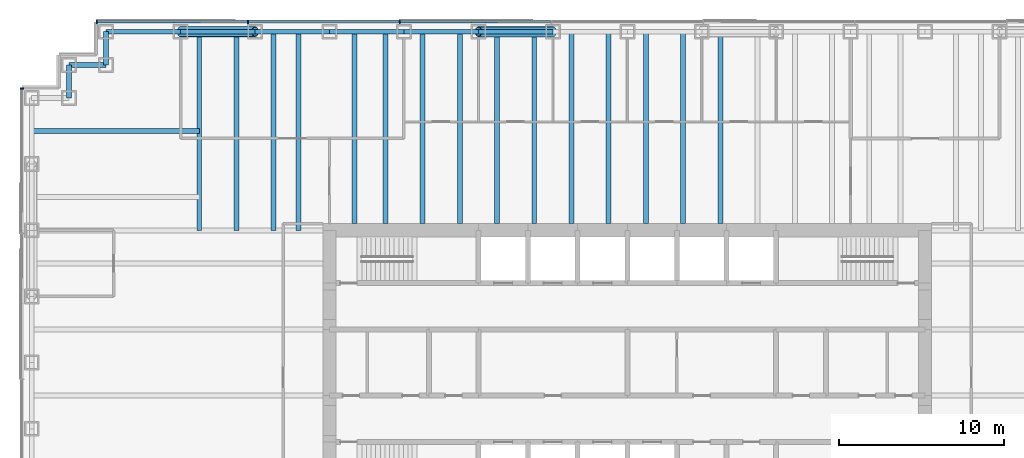
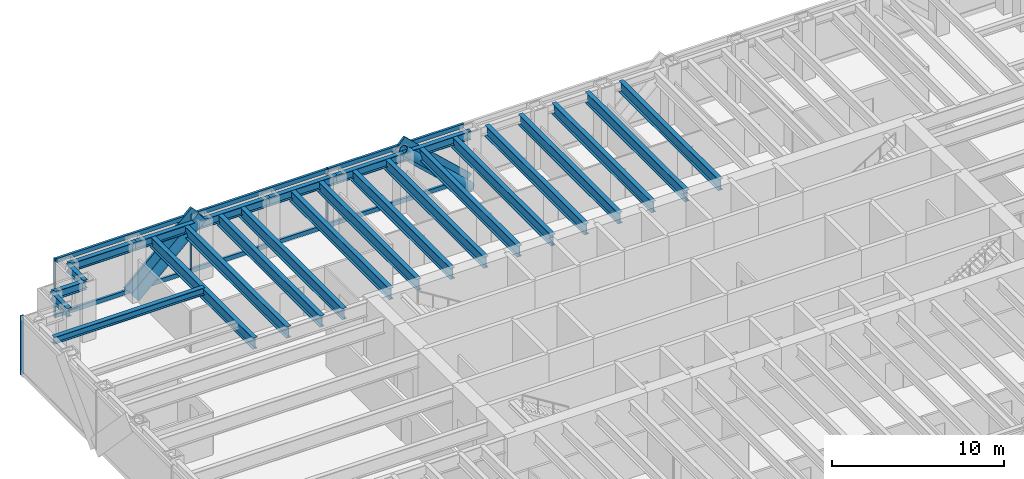
# One storey, part 6 of 17: 25 beams, 14 members, 2 elements without a shape of their own.
"""IFC4 building model written with IfcOpenShell, lengths in metres."""

from ifc_helpers import new_model, si_unit, direction, frame, origin, origin_2d, place, context, subcontext, project, spatial, rectangle, hollow_circle, i_section, extrude, material, material_profile, profile_set, type_object, element, aggregate, save


model = new_model("IFC4")

# Units and contexts
model_context = context("Model", 3, precision=1e-05, world=origin(), true_north=direction((0.0, 1.0)))
body_context = subcontext(model_context, "Body", "Model", "MODEL_VIEW")
ifc_project = project(units=[si_unit("LENGTHUNIT", "METRE"), si_unit("AREAUNIT", "SQUARE_METRE"), si_unit("VOLUMEUNIT", "CUBIC_METRE"), si_unit("PLANEANGLEUNIT", "RADIAN"), si_unit("MASSUNIT", "GRAM", prefix="KILO")], contexts=[model_context])

# Site, building, storey
site_placement = place(None, origin())
site = spatial("IfcSite", under=ifc_project, at=site_placement, CompositionType="ELEMENT")
building_placement = place(site_placement, origin())
building = spatial("IfcBuilding", under=site, at=building_placement, Name="Rheinbord Bourse Tower", CompositionType="ELEMENT")
storey_placement = place(building_placement, frame((0.0, 0.0, 190.0)))
storey = spatial("IfcBuildingStorey", under=building, at=storey_placement, Name="L42", CompositionType="ELEMENT", Elevation=190.0)

# Curtain wall, members
ifc_material_1 = material(Name="Dark glass and black aluminium", Category="aluminium")
curtain_wall_type = type_object("IfcCurtainWallType", Name="CW2 DARK GLASS CURTAIN WALL", PredefinedType="USERDEFINED", material=ifc_material_1)
curtain_wall_1_placement = place(storey_placement, origin())
curtain_wall_1 = element("IfcCurtainWall", 1, at=curtain_wall_1_placement, inside=storey, type_object=curtain_wall_type, Name="Curtain wall CW2 N L42", ObjectType="UNITISED CURTAIN WALL", PredefinedType="USERDEFINED")
ifc_material_2 = material(Name="Black anodised aluminium", Category="aluminium")
ifc_material_profile_1 = material_profile(ifc_material_2, rectangle(XDim=0.159912109375, YDim=1.2099609375, at=origin_2d()), Name="CW2 DIAGONAL MULLION 1210x160")
ifc_profile_set_1 = profile_set([ifc_material_profile_1], Name="Black anodised aluminium")
member_type_1 = type_object("IfcMemberType", Name="CW2 BLACK DIAGONAL MULLION", PredefinedType="USERDEFINED", material=ifc_profile_set_1)
member_1_placement = place(storey_placement, frame((9.0, 44.60009765625, 0.0), z_axis=(0.73105922506, 0.0, 0.682314010889), x_axis=(0.0, 1.0, 0.0)))
member_1 = element("IfcMember", 2, at=member_1_placement, type_object=member_type_1, Name="CW2 diagonal mullion b", ObjectType="DIAGONAL MULLION", PredefinedType="USERDEFINED", context=body_context, shape_type="SweptSolid", body=[
    extrude(rectangle(XDim=0.159912109375, YDim=1.2099609375, at=origin_2d()), origin(), (0.0, 0.0, 1.0), 6.155517578125),
])
member_2_placement = place(storey_placement, frame((31.5, 44.60009765625, 0.0), z_axis=(-0.73105922506, 0.0, 0.682314010889), x_axis=(0.0, -1.0, 0.0)))
member_2 = element("IfcMember", 3, at=member_2_placement, type_object=member_type_1, Name="CW2 diagonal mullion c", ObjectType="DIAGONAL MULLION", PredefinedType="USERDEFINED", context=body_context, shape_type="SweptSolid", body=[
    extrude(rectangle(XDim=0.159912109375, YDim=1.2099609375, at=origin_2d()), origin(), (0.0, 0.0, 1.0), 6.155517578125),
])
ifc_material_3 = material(Name="Black anodised aluminium", Category="aluminium")
ifc_material_profile_2 = material_profile(ifc_material_3, rectangle(XDim=0.219970703125, YDim=0.070068359375, at=origin_2d()), Name="CW2 MULLION 70x220")
ifc_profile_set_2 = profile_set([ifc_material_profile_2], Name="Black anodised aluminium")
member_type_2 = type_object("IfcMemberType", Name="CW2 BLACK MULLION", PredefinedType="MULLION", material=ifc_profile_set_2)
member_3_placement = place(storey_placement, frame((22.242919921875, 44.60009765625, 0.0), z_axis=(0.0, 0.0, 1.0), x_axis=(0.0, -1.0, 0.0)))
member_3 = element("IfcMember", 4, at=member_3_placement, type_object=member_type_2, Name="CW2 mullion 6", PredefinedType="MULLION", context=body_context, shape_type="SweptSolid", body=[
    extrude(rectangle(XDim=0.219970703125, YDim=0.070068359375, at=origin_2d()), origin(), (0.0, 0.0, 1.0), 4.199951171875),
])
member_4_placement = place(storey_placement, frame((13.071533203125, 44.60009765625, 0.0), z_axis=(0.0, 0.0, 1.0), x_axis=(0.0, -1.0, 0.0)))
member_4 = element("IfcMember", 5, at=member_4_placement, type_object=member_type_2, Name="CW2 mullion 7", PredefinedType="MULLION", context=body_context, shape_type="SweptSolid", body=[
    extrude(rectangle(XDim=0.219970703125, YDim=0.070068359375, at=origin_2d()), origin(), (0.0, 0.0, 1.0), 4.199951171875),
])
member_5_placement = place(storey_placement, frame((3.93505859375, 44.60009765625, 0.0), z_axis=(0.0, 0.0, 1.0), x_axis=(0.0, -1.0, 0.0)))
member_5 = element("IfcMember", 6, at=member_5_placement, type_object=member_type_2, Name="CW2 mullion 8", PredefinedType="MULLION", context=body_context, shape_type="SweptSolid", body=[
    extrude(rectangle(XDim=0.219970703125, YDim=0.070068359375, at=origin_2d()), origin(), (0.0, 0.0, 1.0), 4.199951171875),
])

# Curtain wall, member
curtain_wall_2_placement = place(storey_placement, origin())
curtain_wall_2 = element("IfcCurtainWall", 7, at=curtain_wall_2_placement, inside=storey, type_object=curtain_wall_type, Name="Curtain wall CW2 W L42", ObjectType="UNITISED CURTAIN WALL", PredefinedType="USERDEFINED")
member_6_placement = place(storey_placement, frame((-0.60009765625, 40.56494140625, 0.0), z_axis=(0.0, 0.0, 1.0), x_axis=(1.0, 0.0, 0.0)))
member_6 = element("IfcMember", 8, at=member_6_placement, type_object=member_type_2, Name="CW2 mullion 1", PredefinedType="MULLION", context=body_context, shape_type="SweptSolid", body=[
    extrude(rectangle(XDim=0.219970703125, YDim=0.070068359375, at=origin_2d()), origin(), (0.0, 0.0, 1.0), 4.199951171875),
])
aggregate(curtain_wall_2, [member_6])

# Member
ifc_material_4 = material(Name="Black anodised aluminium", Category="aluminium")
ifc_material_profile_3 = material_profile(ifc_material_4, rectangle(XDim=0.159912109375, YDim=0.300048828125, at=origin_2d()), Name="CW2 TRANSOM 300x160")
ifc_profile_set_3 = profile_set([ifc_material_profile_3], Name="Black anodised aluminium")
member_type_3 = type_object("IfcMemberType", Name="CW2 BLACK TRANSOM", PredefinedType="USERDEFINED", material=ifc_profile_set_3)
member_7_placement = place(storey_placement, frame((31.37939453125, 44.60009765625, 0.14990234375), z_axis=(-1.0, 0.0, 0.0), x_axis=(0.0, -1.0, 0.0)))
member_7 = element("IfcMember", 9, at=member_7_placement, type_object=member_type_3, Name="CW2 transom 5.1", ObjectType="TRANSOM", PredefinedType="USERDEFINED", context=body_context, shape_type="SweptSolid", body=[
    extrude(rectangle(XDim=0.159912109375, YDim=0.300048828125, at=origin_2d()), origin(), (0.0, 0.0, 1.0), 9.1015625),
])

member_8_placement = place(storey_placement, frame((31.37939453125, 44.60009765625, 4.050048828125), z_axis=(-1.0, 0.0, 0.0), x_axis=(0.0, -1.0, 0.0)))
member_8 = element("IfcMember", 10, at=member_8_placement, type_object=member_type_3, Name="CW2 transom 5.2", ObjectType="TRANSOM", PredefinedType="USERDEFINED", context=body_context, shape_type="SweptSolid", body=[
    extrude(rectangle(XDim=0.159912109375, YDim=0.300048828125, at=origin_2d()), origin(), (0.0, 0.0, 1.0), 9.1015625),
])

member_9_placement = place(storey_placement, frame((22.207763671875, 44.60009765625, 0.14990234375), z_axis=(-1.0, 0.0, 0.0), x_axis=(0.0, -1.0, 0.0)))
member_9 = element("IfcMember", 11, at=member_9_placement, type_object=member_type_3, Name="CW2 transom 6.1", ObjectType="TRANSOM", PredefinedType="USERDEFINED", context=body_context, shape_type="SweptSolid", body=[
    extrude(rectangle(XDim=0.159912109375, YDim=0.300048828125, at=origin_2d()), origin(), (0.0, 0.0, 1.0), 9.101318359375),
])

member_10_placement = place(storey_placement, frame((22.207763671875, 44.60009765625, 4.050048828125), z_axis=(-1.0, 0.0, 0.0), x_axis=(0.0, -1.0, 0.0)))
member_10 = element("IfcMember", 12, at=member_10_placement, type_object=member_type_3, Name="CW2 transom 6.2", ObjectType="TRANSOM", PredefinedType="USERDEFINED", context=body_context, shape_type="SweptSolid", body=[
    extrude(rectangle(XDim=0.159912109375, YDim=0.300048828125, at=origin_2d()), origin(), (0.0, 0.0, 1.0), 9.101318359375),
])

member_11_placement = place(storey_placement, frame((13.036376953125, 44.60009765625, 0.14990234375), z_axis=(-1.0, 0.0, 0.0), x_axis=(0.0, -1.0, 0.0)))
member_11 = element("IfcMember", 13, at=member_11_placement, type_object=member_type_3, Name="CW2 transom 7.1", ObjectType="TRANSOM", PredefinedType="USERDEFINED", context=body_context, shape_type="SweptSolid", body=[
    extrude(rectangle(XDim=0.159912109375, YDim=0.300048828125, at=origin_2d()), origin(), (0.0, 0.0, 1.0), 9.06640625),
])

member_12_placement = place(storey_placement, frame((13.036376953125, 44.60009765625, 4.050048828125), z_axis=(-1.0, 0.0, 0.0), x_axis=(0.0, -1.0, 0.0)))
member_12 = element("IfcMember", 14, at=member_12_placement, type_object=member_type_3, Name="CW2 transom 7.2", ObjectType="TRANSOM", PredefinedType="USERDEFINED", context=body_context, shape_type="SweptSolid", body=[
    extrude(rectangle(XDim=0.159912109375, YDim=0.300048828125, at=origin_2d()), origin(), (0.0, 0.0, 1.0), 9.06640625),
])

aggregate(curtain_wall_1, [member_3, member_4, member_5, member_7, member_8, member_9, member_10, member_11, member_12, member_1, member_2])

# Beams
ifc_material_5 = material(Name="Steel S460", Category="steel")
ifc_material_profile_4 = material_profile(ifc_material_5, i_section(OverallWidth=0.300048828125, OverallDepth=0.800048828125, WebThickness=0.017578125, FlangeThickness=0.032958984375, at=origin_2d()), Name="HEB 800")
ifc_profile_set_4 = profile_set([ifc_material_profile_4], Name="Steel S460")
beam_type_1 = type_object("IfcBeamType", Name="FLOOR BEAM HEB 800", PredefinedType="BEAM", material=ifc_profile_set_4)
for number, where, z_axis, x_axis, name in (
    (15, (10.125, 44.0, 3.639892578125), (0.0, -1.0, 0.0), (1.0, 0.0, 0.0), "Floor beam N-9a L43"),
    (16, (12.375, 44.0, 3.639892578125), (0.0, -1.0, 0.0), (1.0, 0.0, 0.0), "Floor beam N-9b L43"),
    (17, (14.625, 44.0, 3.639892578125), (0.0, -1.0, 0.0), (1.0, 0.0, 0.0), "Floor beam N-13.5a L43"),
    (18, (16.125, 44.0, 3.639892578125), (0.0, -1.0, 0.0), (1.0, 0.0, 0.0), "Floor beam N-13.5b L43"),
):
    element("IfcBeam", number, at=place(storey_placement, frame(where, z_axis=z_axis, x_axis=x_axis)), inside=storey, type_object=beam_type_1, Name=name, PredefinedType="BEAM", context=body_context, shape_type="SweptSolid", body=[
        extrude(i_section(OverallWidth=0.300048828125, OverallDepth=0.800048828125, WebThickness=0.017578125, FlangeThickness=0.032958984375, at=origin_2d()), origin(), (0.0, 0.0, 1.0), 12.0),
    ])
for number, where, z_axis, x_axis, name in (
    (19, (19.5, 44.0, 3.639892578125), (0.0, -1.0, 0.0), (1.0, 0.0, 0.0), "Floor beam N-18a L43"),
    (20, (21.375, 44.0, 3.639892578125), (0.0, -1.0, 0.0), (1.0, 0.0, 0.0), "Floor beam N-18b L43"),
    (21, (23.625, 44.0, 3.639892578125), (0.0, -1.0, 0.0), (1.0, 0.0, 0.0), "Floor beam N-22.5a L43"),
    (22, (25.875, 44.0, 3.639892578125), (0.0, -1.0, 0.0), (1.0, 0.0, 0.0), "Floor beam N-22.5b L43"),
    (23, (28.125, 44.0, 3.639892578125), (0.0, -1.0, 0.0), (1.0, 0.0, 0.0), "Floor beam N-27a L43"),
    (24, (30.375, 44.0, 3.639892578125), (0.0, -1.0, 0.0), (1.0, 0.0, 0.0), "Floor beam N-27b L43"),
    (25, (32.625, 44.0, 3.639892578125), (0.0, -1.0, 0.0), (1.0, 0.0, 0.0), "Floor beam N-31.5a L43"),
    (26, (34.875, 44.0, 3.639892578125), (0.0, -1.0, 0.0), (1.0, 0.0, 0.0), "Floor beam N-31.5b L43"),
    (27, (37.125, 44.0, 3.639892578125), (0.0, -1.0, 0.0), (1.0, 0.0, 0.0), "Floor beam N-36a L43"),
    (28, (39.375, 44.0, 3.639892578125), (0.0, -1.0, 0.0), (1.0, 0.0, 0.0), "Floor beam N-36b L43"),
    (29, (41.625, 44.0, 3.639892578125), (0.0, -1.0, 0.0), (1.0, 0.0, 0.0), "Floor beam N-40.5a L43"),
):
    element("IfcBeam", number, at=place(storey_placement, frame(where, z_axis=z_axis, x_axis=x_axis)), inside=storey, type_object=beam_type_1, Name=name, PredefinedType="BEAM", context=body_context, shape_type="SweptSolid", body=[
        extrude(i_section(OverallWidth=0.300048828125, OverallDepth=0.800048828125, WebThickness=0.017578125, FlangeThickness=0.032958984375, at=origin_2d()), origin(), (0.0, 0.0, 1.0), 11.60009765625),
    ])

# Members
ifc_material_6 = material(Name="Steel S460", Category="steel")
ifc_material_profile_5 = material_profile(ifc_material_6, hollow_circle(Radius=0.304931640625, WallThickness=0.0400390625, at=origin_2d()), Name="CHS 610x40")
ifc_profile_set_5 = profile_set([ifc_material_profile_5], Name="Steel S460")
member_type_4 = type_object("IfcMemberType", Name="MEGABRACE CHS 610x40", PredefinedType="BRACE", material=ifc_profile_set_5)
for number, where, z_axis, x_axis, name in (
    (30, (9.0, 44.0, 0.0), (0.73105922506, 0.0, 0.682314010889), (0.0, 1.0, 0.0), "Megabrace N face line b L42"),
    (31, (31.5, 44.0, 0.0), (-0.73105922506, 0.0, 0.682314010889), (0.0, -1.0, 0.0), "Megabrace N face line c L42"),
):
    element("IfcMember", number, at=place(storey_placement, frame(where, z_axis=z_axis, x_axis=x_axis)), inside=storey, type_object=member_type_4, Name=name, PredefinedType="BRACE", context=body_context, shape_type="SweptSolid", body=[
        extrude(hollow_circle(Radius=0.304931640625, WallThickness=0.0400390625, at=origin_2d()), origin(), (0.0, 0.0, 1.0), 6.155517578125),
    ])

# Beams
ifc_material_7 = material(Name="Steel S460", Category="steel")
ifc_material_profile_6 = material_profile(ifc_material_7, i_section(OverallWidth=0.300048828125, OverallDepth=0.60009765625, WebThickness=0.015380859375, FlangeThickness=0.030029296875, at=origin_2d()), Name="HEB 600")
ifc_profile_set_6 = profile_set([ifc_material_profile_6], Name="Steel S460")
beam_type_2 = type_object("IfcBeamType", Name="SPANDREL HEB 600", PredefinedType="SPANDREL", material=ifc_profile_set_6)
for number, where, z_axis, x_axis, name in (
    (32, (31.5, 44.0, 3.739990234375), (-1.0, 0.0, 0.0), (0.0, -1.0, 0.0), "Spandrel N-31.5-N-27 under L43"),
    (33, (27.0, 44.0, 3.739990234375), (-1.0, 0.0, 0.0), (0.0, -1.0, 0.0), "Spandrel N-27-N-22.5 under L43"),
    (34, (22.5, 44.0, 3.739990234375), (-1.0, 0.0, 0.0), (0.0, -1.0, 0.0), "Spandrel N-22.5-N-18 under L43"),
    (35, (18.0, 44.0, 3.739990234375), (-1.0, 0.0, 0.0), (0.0, -1.0, 0.0), "Spandrel N-18-N-13.5 under L43"),
    (36, (13.5, 44.0, 3.739990234375), (-1.0, 0.0, 0.0), (0.0, -1.0, 0.0), "Spandrel N-13.5-N-9 under L43"),
    (37, (9.0, 44.0, 3.739990234375), (-1.0, 0.0, 0.0), (0.0, -1.0, 0.0), "Spandrel N-9-NW-E under L43"),
):
    element("IfcBeam", number, at=place(storey_placement, frame(where, z_axis=z_axis, x_axis=x_axis)), inside=storey, type_object=beam_type_2, Name=name, PredefinedType="SPANDREL", context=body_context, shape_type="SweptSolid", body=[
        extrude(i_section(OverallWidth=0.300048828125, OverallDepth=0.60009765625, WebThickness=0.015380859375, FlangeThickness=0.030029296875, at=origin_2d()), origin(), (0.0, 0.0, 1.0), 4.5),
    ])
beam_1_placement = place(storey_placement, frame((4.5, 44.0, 3.739990234375), z_axis=(0.0, -1.0, 0.0), x_axis=(1.0, 0.0, 0.0)))
element("IfcBeam", 38, at=beam_1_placement, inside=storey, type_object=beam_type_2, Name="Spandrel NW-E-NW-D under L43", PredefinedType="SPANDREL", context=body_context, shape_type="SweptSolid", body=[
    extrude(i_section(OverallWidth=0.300048828125, OverallDepth=0.60009765625, WebThickness=0.015380859375, FlangeThickness=0.030029296875, at=origin_2d()), origin(), (0.0, 0.0, 1.0), 2.0),
])
beam_2_placement = place(storey_placement, frame((4.5, 42.0, 3.739990234375), z_axis=(-1.0, 0.0, 0.0), x_axis=(0.0, -1.0, 0.0)))
element("IfcBeam", 39, at=beam_2_placement, inside=storey, type_object=beam_type_2, Name="Spandrel NW-D-NW-C under L43", PredefinedType="SPANDREL", context=body_context, shape_type="SweptSolid", body=[
    extrude(i_section(OverallWidth=0.300048828125, OverallDepth=0.60009765625, WebThickness=0.015380859375, FlangeThickness=0.030029296875, at=origin_2d()), origin(), (0.0, 0.0, 1.0), 2.25),
])
beam_3_placement = place(storey_placement, frame((2.25, 42.0, 3.739990234375), z_axis=(0.0, -1.0, 0.0), x_axis=(1.0, 0.0, 0.0)))
element("IfcBeam", 40, at=beam_3_placement, inside=storey, type_object=beam_type_2, Name="Spandrel NW-C-NW-B under L43", PredefinedType="SPANDREL", context=body_context, shape_type="SweptSolid", body=[
    extrude(i_section(OverallWidth=0.300048828125, OverallDepth=0.60009765625, WebThickness=0.015380859375, FlangeThickness=0.030029296875, at=origin_2d()), origin(), (0.0, 0.0, 1.0), 2.0),
])
ifc_material_8 = material(Name="Steel S460", Category="steel")
ifc_material_profile_7 = material_profile(ifc_material_8, i_section(OverallWidth=0.300048828125, OverallDepth=0.5, WebThickness=0.014404296875, FlangeThickness=0.028076171875, at=origin_2d()), Name="HEB 500")
ifc_profile_set_7 = profile_set([ifc_material_profile_7], Name="Steel S460")
beam_type_3 = type_object("IfcBeamType", Name="TIE BEAM HEB 500", PredefinedType="JOIST", material=ifc_profile_set_7)
beam_4_placement = place(storey_placement, frame((0.0, 38.0, 3.7900390625), z_axis=(1.0, 0.0, 0.0), x_axis=(0.0, 1.0, 0.0)))
element("IfcBeam", 41, at=beam_4_placement, inside=storey, type_object=beam_type_3, Name="Tie west 38 L43", PredefinedType="JOIST", context=body_context, shape_type="SweptSolid", body=[
    extrude(i_section(OverallWidth=0.300048828125, OverallDepth=0.5, WebThickness=0.014404296875, FlangeThickness=0.028076171875, at=origin_2d()), origin(), (0.0, 0.0, 1.0), 10.125),
])

save(model, "model.ifc")
